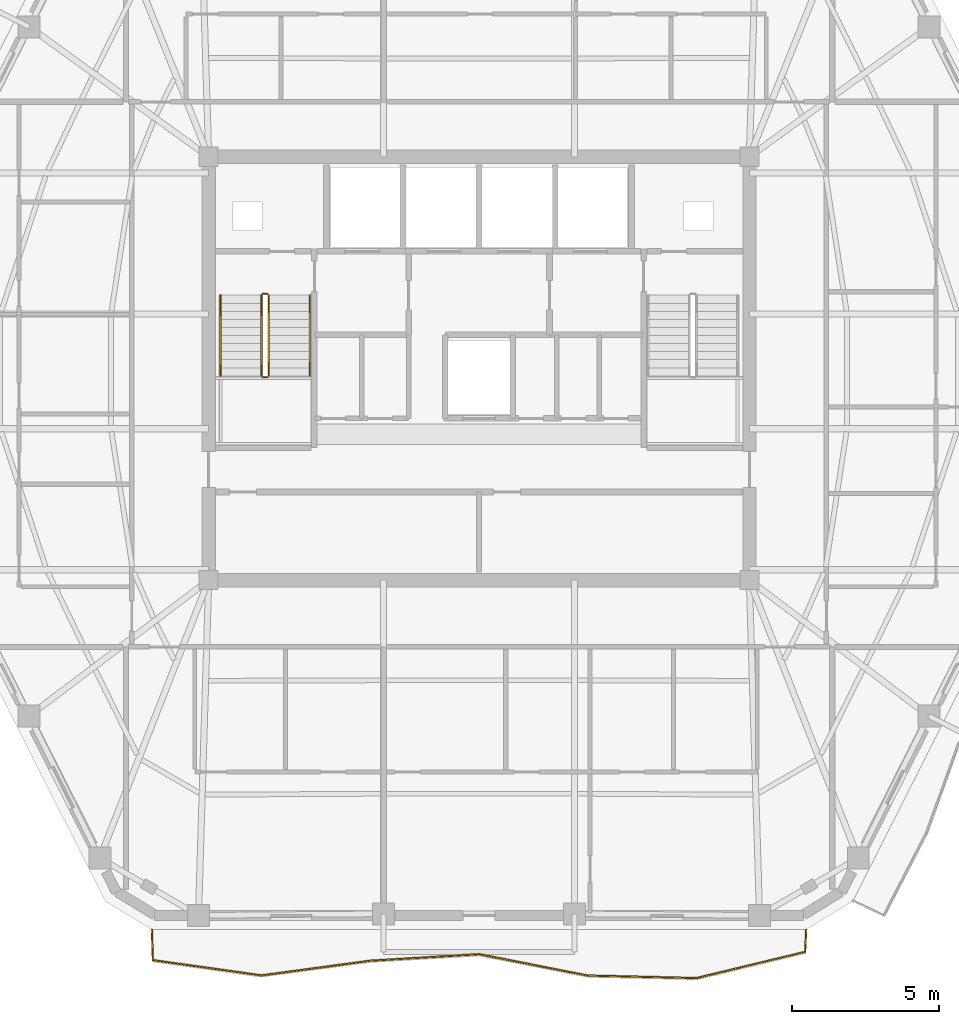
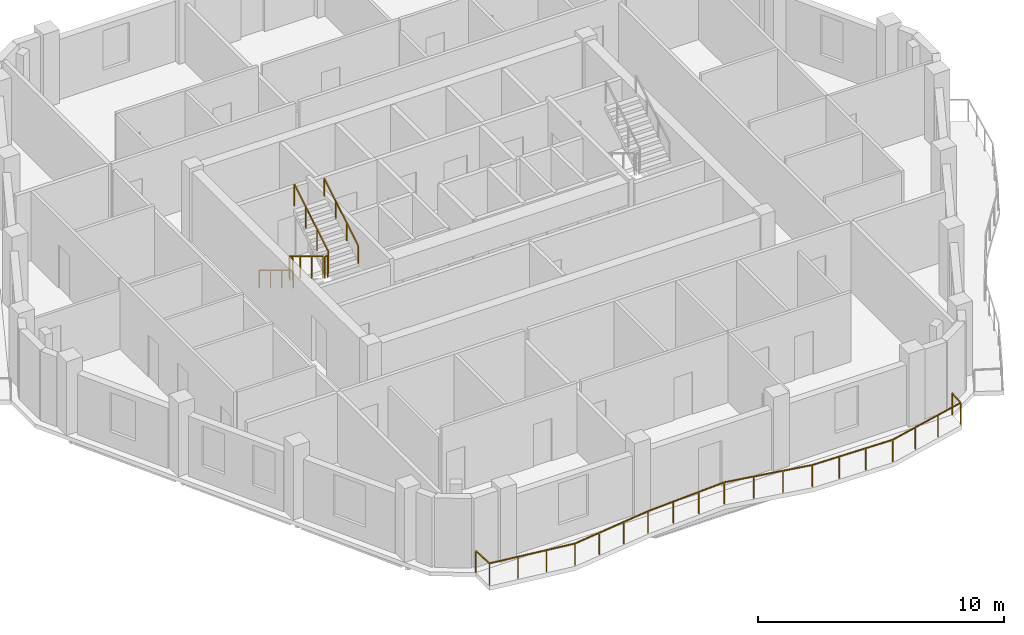
# One storey, part 9 of 11: 7 railings.
"""IFC4 building model written with IfcOpenShell, lengths in metres."""

from ifc_helpers import new_model, si_unit, direction, frame, origin, origin_2d, place, context, subcontext, project, spatial, rectangle, extrude, material, type_object, element, save


model = new_model("IFC4")

# Units and contexts
model_context = context("Model", 3, precision=1e-05, world=origin(), true_north=direction((0.0, 1.0)))
body_context = subcontext(model_context, "Body", "Model", "MODEL_VIEW")
ifc_project = project(units=[si_unit("LENGTHUNIT", "METRE"), si_unit("AREAUNIT", "SQUARE_METRE"), si_unit("VOLUMEUNIT", "CUBIC_METRE"), si_unit("PLANEANGLEUNIT", "RADIAN"), si_unit("MASSUNIT", "GRAM", prefix="KILO")], contexts=[model_context])

# Site, building, storey
site_placement = place(None, origin())
site = spatial("IfcSite", under=ifc_project, at=site_placement, CompositionType="ELEMENT")
building_placement = place(site_placement, origin())
building = spatial("IfcBuilding", under=site, at=building_placement, Name="Cinnabar Lancet Tower", CompositionType="ELEMENT")
storey_placement = place(building_placement, frame((0.0, 0.0, 230.64990234375)))
storey = spatial("IfcBuildingStorey", under=building, at=storey_placement, Name="L61", CompositionType="ELEMENT", Elevation=230.64990234375)

# Railings
ifc_material_1 = material(Name="Laminated safety glass and bronze stainless steel balustrade", Category="steel")
railing_type_1 = type_object("IfcRailingType", Name="ENV-RLG-BAL-1100", PredefinedType="BALUSTRADE", material=ifc_material_1)
railing_1_placement = place(storey_placement, frame((21.236083984375, 6.75, 0.0)))
element("IfcRailing", 1, at=railing_1_placement, inside=storey, type_object=railing_type_1, Name="L61 Face 1 Wave Balcony Balustrade", PredefinedType="BALUSTRADE", context=body_context, shape_type="SweptSolid", body=[
    extrude(rectangle(XDim=0.048095703125, YDim=0.048095703125, at=origin_2d()), frame((0.0, 0.0, 1.076171875), z_axis=(0.032642369907, -0.99946709585, 0.0), x_axis=(0.99946709585, 0.032642369907, 0.0)), (0.0, 0.0, 1.0), 1.03955078125),
    extrude(rectangle(XDim=0.048095703125, YDim=0.048095703125, at=origin_2d()), frame((0.033935546875, -1.0390625, 1.076171875), z_axis=(0.990287998041, -0.139031222883, 0.0), x_axis=(0.139031222883, 0.990287998041, 0.0)), (0.0, 0.0, 1.0), 3.747314453125),
    extrude(rectangle(XDim=0.048095703125, YDim=0.048095703125, at=origin_2d()), frame((3.744873046875, -1.56005859375, 1.076171875), z_axis=(0.991010194463, 0.133786376252, 0.0), x_axis=(-0.133786376252, 0.991010194463, 0.0)), (0.0, 0.0, 1.0), 3.74462890625),
    extrude(rectangle(XDim=0.048095703125, YDim=0.048095703125, at=origin_2d()), frame((7.455810546875, -1.05908203125, 1.076171875), z_axis=(0.998194142127, 0.060070413873, 0.0), x_axis=(-0.060070413873, 0.998194142127, 0.0)), (0.0, 0.0, 1.0), 3.714599609375),
    extrude(rectangle(XDim=0.048095703125, YDim=0.048095703125, at=origin_2d()), frame((11.163818359375, -0.8359375, 1.076171875), z_axis=(0.98122612749, -0.192860796254, 0.0), x_axis=(0.192860796254, 0.98122612749, 0.0)), (0.0, 0.0, 1.0), 3.780029296875),
    extrude(rectangle(XDim=0.048095703125, YDim=0.048095703125, at=origin_2d()), frame((14.872802734375, -1.56494140625, 1.076171875), z_axis=(0.999731857967, -0.023156255445, 0.0), x_axis=(0.023156255445, 0.999731857967, 0.0)), (0.0, 0.0, 1.0), 3.711181640625),
    extrude(rectangle(XDim=0.048095703125, YDim=0.048095703125, at=origin_2d()), frame((18.5830078125, -1.65087890625, 1.076171875), z_axis=(0.972140027399, 0.234400868448, 0.0), x_axis=(-0.234400868448, 0.972140027399, 0.0)), (0.0, 0.0, 1.0), 3.8173828125),
    extrude(rectangle(XDim=0.048095703125, YDim=0.048095703125, at=origin_2d()), frame((22.2939453125, -0.756103515625, 1.076171875), z_axis=(0.044837006743, 0.998994315713, 0.0), x_axis=(-0.998994315713, 0.044837006743, 0.0)), (0.0, 0.0, 1.0), 0.7568359375),
    extrude(rectangle(XDim=0.0419921875, YDim=0.0419921875, at=origin_2d()), origin(), (0.0, 0.0, 1.0), 1.052001953125),
    extrude(rectangle(XDim=0.0419921875, YDim=0.0419921875, at=origin_2d()), frame((0.033935546875, -1.0390625, 0.0)), (0.0, 0.0, 1.0), 1.052001953125),
    extrude(rectangle(XDim=0.0419921875, YDim=0.0419921875, at=origin_2d()), frame((1.27099609375, -1.212646484375, 0.0)), (0.0, 0.0, 1.0), 1.052001953125),
    extrude(rectangle(XDim=0.0419921875, YDim=0.0419921875, at=origin_2d()), frame((2.5078125, -1.386474609375, 0.0)), (0.0, 0.0, 1.0), 1.052001953125),
    extrude(rectangle(XDim=0.0419921875, YDim=0.0419921875, at=origin_2d()), frame((3.744873046875, -1.56005859375, 0.0)), (0.0, 0.0, 1.0), 1.052001953125),
    extrude(rectangle(XDim=0.0419921875, YDim=0.0419921875, at=origin_2d()), frame((4.98193359375, -1.39306640625, 0.0)), (0.0, 0.0, 1.0), 1.052001953125),
    extrude(rectangle(XDim=0.0419921875, YDim=0.0419921875, at=origin_2d()), frame((6.21875, -1.22607421875, 0.0)), (0.0, 0.0, 1.0), 1.052001953125),
    extrude(rectangle(XDim=0.0419921875, YDim=0.0419921875, at=origin_2d()), frame((7.455810546875, -1.05908203125, 0.0)), (0.0, 0.0, 1.0), 1.052001953125),
    extrude(rectangle(XDim=0.0419921875, YDim=0.0419921875, at=origin_2d()), frame((8.69189453125, -0.984619140625, 0.0)), (0.0, 0.0, 1.0), 1.052001953125),
    extrude(rectangle(XDim=0.0419921875, YDim=0.0419921875, at=origin_2d()), frame((9.927734375, -0.910400390625, 0.0)), (0.0, 0.0, 1.0), 1.052001953125),
    extrude(rectangle(XDim=0.0419921875, YDim=0.0419921875, at=origin_2d()), frame((11.163818359375, -0.8359375, 0.0)), (0.0, 0.0, 1.0), 1.052001953125),
    extrude(rectangle(XDim=0.0419921875, YDim=0.0419921875, at=origin_2d()), frame((12.400146484375, -1.078857421875, 0.0)), (0.0, 0.0, 1.0), 1.052001953125),
    extrude(rectangle(XDim=0.0419921875, YDim=0.0419921875, at=origin_2d()), frame((13.636474609375, -1.322021484375, 0.0)), (0.0, 0.0, 1.0), 1.052001953125),
    extrude(rectangle(XDim=0.0419921875, YDim=0.0419921875, at=origin_2d()), frame((14.872802734375, -1.56494140625, 0.0)), (0.0, 0.0, 1.0), 1.052001953125),
    extrude(rectangle(XDim=0.0419921875, YDim=0.0419921875, at=origin_2d()), frame((16.109619140625, -1.593505859375, 0.0)), (0.0, 0.0, 1.0), 1.052001953125),
    extrude(rectangle(XDim=0.0419921875, YDim=0.0419921875, at=origin_2d()), frame((17.34619140625, -1.622314453125, 0.0)), (0.0, 0.0, 1.0), 1.052001953125),
    extrude(rectangle(XDim=0.0419921875, YDim=0.0419921875, at=origin_2d()), frame((18.5830078125, -1.65087890625, 0.0)), (0.0, 0.0, 1.0), 1.052001953125),
    extrude(rectangle(XDim=0.0419921875, YDim=0.0419921875, at=origin_2d()), frame((19.820068359375, -1.3525390625, 0.0)), (0.0, 0.0, 1.0), 1.052001953125),
    extrude(rectangle(XDim=0.0419921875, YDim=0.0419921875, at=origin_2d()), frame((21.056884765625, -1.054443359375, 0.0)), (0.0, 0.0, 1.0), 1.052001953125),
    extrude(rectangle(XDim=0.0419921875, YDim=0.0419921875, at=origin_2d()), frame((22.2939453125, -0.756103515625, 0.0)), (0.0, 0.0, 1.0), 1.052001953125),
    extrude(rectangle(XDim=0.0419921875, YDim=0.0419921875, at=origin_2d()), frame((22.327880859375, 0.0, 0.0)), (0.0, 0.0, 1.0), 1.052001953125),
])
ifc_material_2 = material(Name="Painted galvanized steel balustrade", Category="steel")
railing_type_2 = type_object("IfcRailingType", Name="GUARD-STAIR", PredefinedType="GUARDRAIL", material=ifc_material_2)
railing_2_placement = place(storey_placement, frame((24.97509765625, 28.39990234375, 0.166015625)))
element("IfcRailing", 2, at=railing_2_placement, inside=storey, type_object=railing_type_2, Name="L61 ST-1 stair guard 1", PredefinedType="GUARDRAIL", context=body_context, shape_type="SweptSolid", body=[
    extrude(rectangle(XDim=0.048095703125, YDim=0.048095703125, at=origin_2d()), frame((0.0, 0.0, 1.076171875), z_axis=(0.0, -0.856229400918, 0.51659579267), x_axis=(1.0, 0.0, 0.0)), (0.0, 0.0, 1.0), 3.211669921875),
    extrude(rectangle(XDim=0.0419921875, YDim=0.0419921875, at=origin_2d()), origin(), (0.0, 0.0, 1.0), 1.052001953125),
    extrude(rectangle(XDim=0.0419921875, YDim=0.0419921875, at=origin_2d()), frame((0.0, -0.916748046875, 0.552978515625)), (0.0, 0.0, 1.0), 1.052001953125),
    extrude(rectangle(XDim=0.0419921875, YDim=0.0419921875, at=origin_2d()), frame((0.0, -1.833251953125, 1.106201171875)), (0.0, 0.0, 1.0), 1.052001953125),
    extrude(rectangle(XDim=0.0419921875, YDim=0.0419921875, at=origin_2d()), frame((0.0, -2.75, 1.6591796875)), (0.0, 0.0, 1.0), 1.052001953125),
])
railing_3_placement = place(storey_placement, frame((25.02490234375, 25.60009765625, 1.8251953125)))
element("IfcRailing", 3, at=railing_3_placement, inside=storey, type_object=railing_type_2, Name="L61 ST-1 stair guard 2", PredefinedType="GUARDRAIL", context=body_context, shape_type="SweptSolid", body=[
    extrude(rectangle(XDim=0.048095703125, YDim=0.048095703125, at=origin_2d()), frame((0.0, 0.0, 1.076171875), z_axis=(1.0, 0.0, 0.0), x_axis=(0.0, 1.0, 0.0)), (0.0, 0.0, 1.0), 0.150146484375),
    extrude(rectangle(XDim=0.0419921875, YDim=0.0419921875, at=origin_2d()), origin(), (0.0, 0.0, 1.0), 1.052001953125),
    extrude(rectangle(XDim=0.0419921875, YDim=0.0419921875, at=origin_2d()), frame((0.150146484375, 0.0, 0.0)), (0.0, 0.0, 1.0), 1.052001953125),
])
railing_4_placement = place(storey_placement, frame((25.22509765625, 25.64990234375, 1.990966796875)))
element("IfcRailing", 4, at=railing_4_placement, inside=storey, type_object=railing_type_2, Name="L61 ST-1 stair guard 3", PredefinedType="GUARDRAIL", context=body_context, shape_type="SweptSolid", body=[
    extrude(rectangle(XDim=0.048095703125, YDim=0.048095703125, at=origin_2d()), frame((0.0, 0.0, 1.076171875), z_axis=(0.0, 0.856229400918, 0.51659579267), x_axis=(-1.0, 0.0, 0.0)), (0.0, 0.0, 1.0), 3.211669921875),
    extrude(rectangle(XDim=0.0419921875, YDim=0.0419921875, at=origin_2d()), origin(), (0.0, 0.0, 1.0), 1.052001953125),
    extrude(rectangle(XDim=0.0419921875, YDim=0.0419921875, at=origin_2d()), frame((0.0, 0.916748046875, 0.552978515625)), (0.0, 0.0, 1.0), 1.052001953125),
    extrude(rectangle(XDim=0.0419921875, YDim=0.0419921875, at=origin_2d()), frame((0.0, 1.833251953125, 1.106201171875)), (0.0, 0.0, 1.0), 1.052001953125),
    extrude(rectangle(XDim=0.0419921875, YDim=0.0419921875, at=origin_2d()), frame((0.0, 2.75, 1.6591796875)), (0.0, 0.0, 1.0), 1.052001953125),
])
railing_5_placement = place(storey_placement, frame((25.02490234375, 28.449951171875, 0.0)))
element("IfcRailing", 5, at=railing_5_placement, inside=storey, type_object=railing_type_2, Name="L61 ST-1 stair guard 4", PredefinedType="GUARDRAIL", context=body_context, shape_type="SweptSolid", body=[
    extrude(rectangle(XDim=0.048095703125, YDim=0.048095703125, at=origin_2d()), frame((0.0, 0.0, 1.076171875), z_axis=(1.0, 0.0, 0.0), x_axis=(0.0, 1.0, 0.0)), (0.0, 0.0, 1.0), 0.150146484375),
    extrude(rectangle(XDim=0.0419921875, YDim=0.0419921875, at=origin_2d()), origin(), (0.0, 0.0, 1.0), 1.052001953125),
    extrude(rectangle(XDim=0.0419921875, YDim=0.0419921875, at=origin_2d()), frame((0.150146484375, 0.0, 0.0)), (0.0, 0.0, 1.0), 1.052001953125),
])
ifc_material_3 = material(Name="Brushed stainless steel handrail", Category="steel")
railing_type_3 = type_object("IfcRailingType", Name="HANDRAIL-STAIR", PredefinedType="HANDRAIL", material=ifc_material_3)
railing_6_placement = place(storey_placement, frame((23.574951171875, 28.39990234375, 0.166015625)))
element("IfcRailing", 6, at=railing_6_placement, inside=storey, type_object=railing_type_3, Name="L61 ST-1 stair handrail 1", PredefinedType="HANDRAIL", context=body_context, shape_type="SweptSolid", body=[
    extrude(rectangle(XDim=0.048095703125, YDim=0.048095703125, at=origin_2d()), frame((0.0, 0.0, 0.8759765625), z_axis=(0.0, -0.856229400918, 0.51659579267), x_axis=(1.0, 0.0, 0.0)), (0.0, 0.0, 1.0), 3.211669921875),
    extrude(rectangle(XDim=0.0419921875, YDim=0.0419921875, at=origin_2d()), origin(), (0.0, 0.0, 1.0), 0.851806640625),
    extrude(rectangle(XDim=0.0419921875, YDim=0.0419921875, at=origin_2d()), frame((0.0, -0.916748046875, 0.552978515625)), (0.0, 0.0, 1.0), 0.851806640625),
    extrude(rectangle(XDim=0.0419921875, YDim=0.0419921875, at=origin_2d()), frame((0.0, -1.833251953125, 1.106201171875)), (0.0, 0.0, 1.0), 0.851806640625),
    extrude(rectangle(XDim=0.0419921875, YDim=0.0419921875, at=origin_2d()), frame((0.0, -2.75, 1.6591796875)), (0.0, 0.0, 1.0), 0.851806640625),
])
railing_7_placement = place(storey_placement, frame((26.625, 25.64990234375, 1.990966796875)))
element("IfcRailing", 7, at=railing_7_placement, inside=storey, type_object=railing_type_3, Name="L61 ST-1 stair handrail 2", PredefinedType="HANDRAIL", context=body_context, shape_type="SweptSolid", body=[
    extrude(rectangle(XDim=0.048095703125, YDim=0.048095703125, at=origin_2d()), frame((0.0, 0.0, 0.8759765625), z_axis=(0.0, 0.856229400918, 0.51659579267), x_axis=(-1.0, 0.0, 0.0)), (0.0, 0.0, 1.0), 3.211669921875),
    extrude(rectangle(XDim=0.0419921875, YDim=0.0419921875, at=origin_2d()), origin(), (0.0, 0.0, 1.0), 0.851806640625),
    extrude(rectangle(XDim=0.0419921875, YDim=0.0419921875, at=origin_2d()), frame((0.0, 0.916748046875, 0.552978515625)), (0.0, 0.0, 1.0), 0.851806640625),
    extrude(rectangle(XDim=0.0419921875, YDim=0.0419921875, at=origin_2d()), frame((0.0, 1.833251953125, 1.106201171875)), (0.0, 0.0, 1.0), 0.851806640625),
    extrude(rectangle(XDim=0.0419921875, YDim=0.0419921875, at=origin_2d()), frame((0.0, 2.75, 1.6591796875)), (0.0, 0.0, 1.0), 0.851806640625),
])

save(model, "model.ifc")
